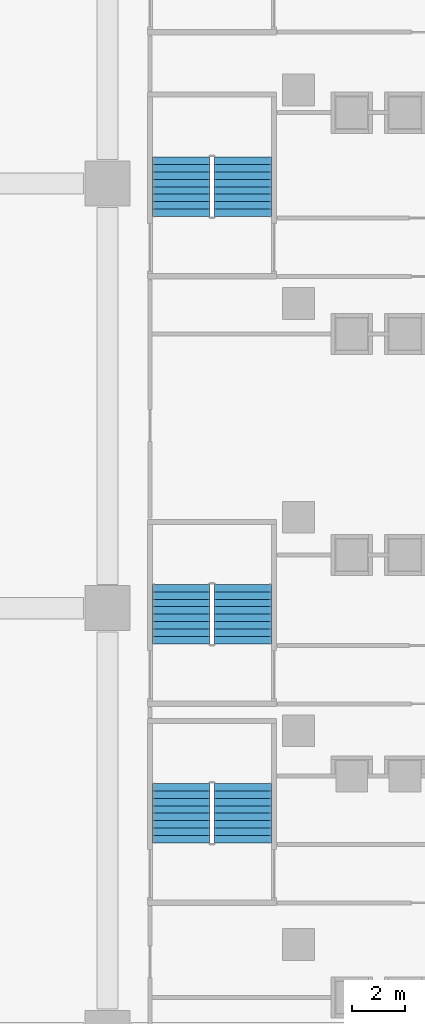
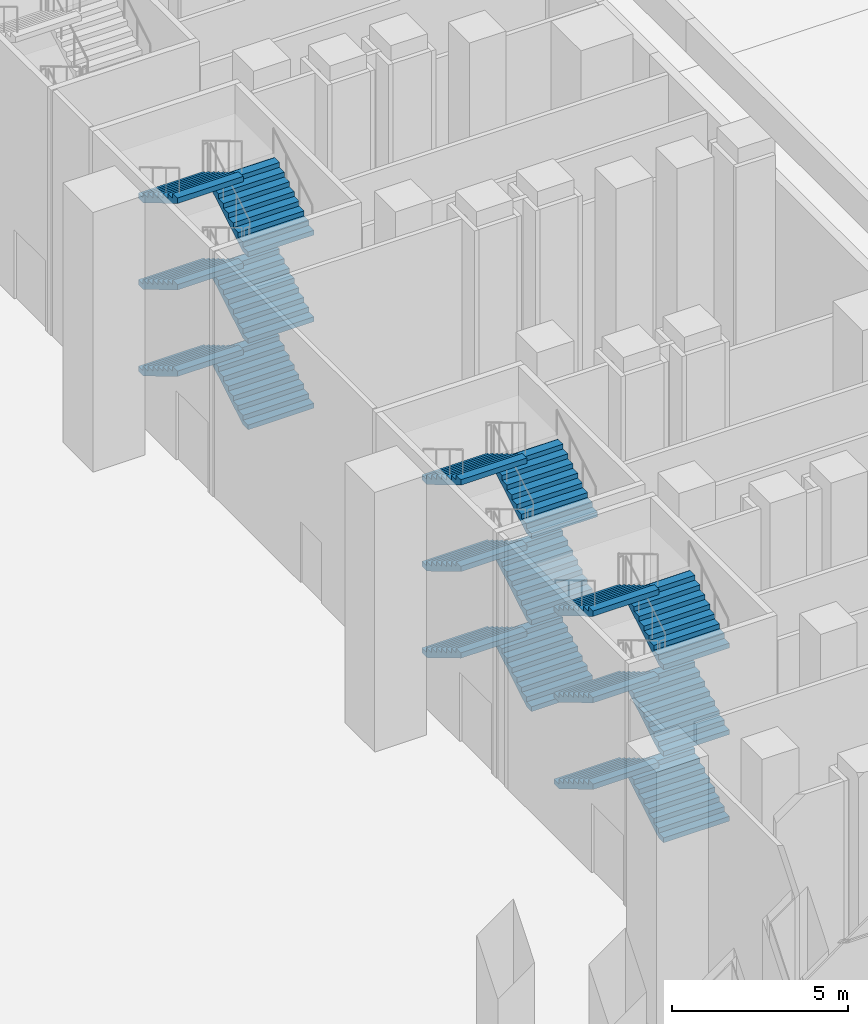
# One storey, part 31 of 51: 18 stair flights, 3 elements without a shape of their own.
"""IFC4 building model written with IfcOpenShell, lengths in metres."""

from ifc_helpers import new_model, si_unit, direction, frame, origin, place, context, subcontext, project, spatial, faceted_brep, source, transform, mapped, material, type_object, element, aggregate, save


model = new_model("IFC4")

# Units and contexts
model_context = context("Model", 3, precision=1e-05, world=origin(), true_north=direction((0.0, 1.0)))
body_context = subcontext(model_context, "Body", "Model", "MODEL_VIEW")
ifc_project = project(units=[si_unit("LENGTHUNIT", "METRE"), si_unit("AREAUNIT", "SQUARE_METRE"), si_unit("VOLUMEUNIT", "CUBIC_METRE"), si_unit("PLANEANGLEUNIT", "RADIAN"), si_unit("MASSUNIT", "GRAM", prefix="KILO")], contexts=[model_context])

# Site, building, storey
site_placement = place(None, origin())
site = spatial("IfcSite", under=ifc_project, at=site_placement, CompositionType="ELEMENT")
building_placement = place(site_placement, origin())
building = spatial("IfcBuilding", under=site, at=building_placement, Name="Calabash Gate Tower", CompositionType="ELEMENT")
storey_placement = place(building_placement, origin())
storey = spatial("IfcBuildingStorey", under=building, at=storey_placement, Name="L00", CompositionType="ELEMENT", Elevation=0.0)

# Stair, stair flights
ifc_material_1 = material(Name="Concrete C40/50", Category="concrete")
stair_type = type_object("IfcStairType", Name="Public stair 54 risers of 166.7 mm", PredefinedType="HALF_TURN_STAIR", material=ifc_material_1)
stair_1_placement = place(storey_placement, origin())
stair_1 = element("IfcStair", 1, at=stair_1_placement, inside=storey, type_object=stair_type, Name="L00 Public Stair PS6", PredefinedType="HALF_TURN_STAIR")
ifc_material_2 = material(Name="Concrete C40/50", Category="concrete")
stair_flight_type = type_object("IfcStairFlightType", Name="Exit stair flight SFL", PredefinedType="STRAIGHT", material=ifc_material_2)
shared_shape = source(origin(), body_context, "Body", "Brep", [
    faceted_brep([(-0.0009765625, -1.080078125, 0.0), (0.292236328125, -1.080078125, 0.0), (2.23291015625, -1.080078125, 1.15869140625), (-0.0009765625, 1.080078125, 0.0), (2.23291015625, 1.080078125, 1.15869140625), (0.292236328125, 1.080078125, 0.0), (2.23291015625, -1.080078125, 1.34521484375), (2.23193359375, -1.080078125, 1.34521484375), (2.23193359375, 1.080078125, 1.34521484375), (2.23291015625, 1.080078125, 1.34521484375), (2.23193359375, -1.080078125, 1.333251953125), (2.23193359375, 1.080078125, 1.333251953125), (1.952880859375, -1.080078125, 1.333251953125), (1.952880859375, 1.080078125, 1.333251953125), (1.952880859375, -1.080078125, 1.166748046875), (1.952880859375, 1.080078125, 1.166748046875), (1.674072265625, -1.080078125, 1.166748046875), (1.674072265625, 1.080078125, 1.166748046875), (1.674072265625, -1.080078125, 1.0), (1.674072265625, 1.080078125, 1.0), (1.39501953125, -1.080078125, 1.0), (1.39501953125, -1.080078125, 0.833251953125), (1.39501953125, 1.080078125, 0.833251953125), (1.39501953125, 1.080078125, 1.0), (1.115966796875, -1.080078125, 0.833251953125), (1.115966796875, -1.080078125, 0.666748046875), (1.115966796875, 1.080078125, 0.666748046875), (1.115966796875, 1.080078125, 0.833251953125), (0.8369140625, -1.080078125, 0.666748046875), (0.8369140625, -1.080078125, 0.5), (0.8369140625, 1.080078125, 0.5), (0.8369140625, 1.080078125, 0.666748046875), (0.55810546875, -1.080078125, 0.5), (0.55810546875, -1.080078125, 0.333251953125), (0.55810546875, 1.080078125, 0.333251953125), (0.55810546875, 1.080078125, 0.5), (0.279052734375, -1.080078125, 0.333251953125), (0.279052734375, -1.080078125, 0.166748046875), (0.279052734375, 1.080078125, 0.166748046875), (0.279052734375, 1.080078125, 0.333251953125), (-0.0009765625, -1.080078125, 0.166748046875), (-0.0009765625, 1.080078125, 0.166748046875), (0.292236328125, -0.431884765625, 0.0), (2.23291015625, -0.431884765625, 1.15869140625), (0.292236328125, -0.345703125, 0.0), (2.23291015625, -0.345703125, 1.15869140625), (0.292236328125, -0.25927734375, 0.0), (2.23291015625, -0.25927734375, 1.15869140625), (0.292236328125, -0.1728515625, 0.0), (2.23291015625, -0.1728515625, 1.15869140625), (0.292236328125, -0.08642578125, 0.0), (2.23291015625, -0.08642578125, 1.15869140625), (0.292236328125, 0.0, 0.0), (2.23291015625, 0.0, 1.15869140625), (0.292236328125, 0.08642578125, 0.0), (2.23291015625, 0.08642578125, 1.15869140625), (0.292236328125, 0.1728515625, 0.0), (2.23291015625, 0.1728515625, 1.15869140625), (0.292236328125, 0.25927734375, 0.0), (2.23291015625, 0.25927734375, 1.15869140625), (0.292236328125, 0.345703125, 0.0), (2.23291015625, 0.345703125, 1.15869140625), (0.292236328125, 0.431884765625, 0.0), (2.23291015625, 0.431884765625, 1.15869140625), (2.23291015625, -0.431884765625, 1.34521484375), (2.23291015625, -0.345703125, 1.34521484375), (2.23291015625, -0.25927734375, 1.34521484375), (2.23291015625, -0.1728515625, 1.34521484375), (2.23291015625, -0.08642578125, 1.34521484375), (2.23291015625, 0.0, 1.34521484375), (2.23291015625, 0.08642578125, 1.34521484375), (2.23291015625, 0.1728515625, 1.34521484375), (2.23291015625, 0.25927734375, 1.34521484375), (2.23291015625, 0.345703125, 1.34521484375), (2.23291015625, 0.431884765625, 1.34521484375), (2.23193359375, -0.431884765625, 1.34521484375), (2.23193359375, -0.345703125, 1.34521484375), (2.23193359375, -0.25927734375, 1.34521484375), (2.23193359375, -0.1728515625, 1.34521484375), (2.23193359375, -0.08642578125, 1.34521484375), (2.23193359375, 0.0, 1.34521484375), (2.23193359375, 0.08642578125, 1.34521484375), (2.23193359375, 0.1728515625, 1.34521484375), (2.23193359375, 0.25927734375, 1.34521484375), (2.23193359375, 0.345703125, 1.34521484375), (2.23193359375, 0.431884765625, 1.34521484375), (2.23193359375, -0.431884765625, 1.333251953125), (2.23193359375, -0.345703125, 1.333251953125), (2.23193359375, -0.25927734375, 1.333251953125), (2.23193359375, -0.1728515625, 1.333251953125), (2.23193359375, -0.08642578125, 1.333251953125), (2.23193359375, 0.0, 1.333251953125), (2.23193359375, 0.08642578125, 1.333251953125), (2.23193359375, 0.1728515625, 1.333251953125), (2.23193359375, 0.25927734375, 1.333251953125), (2.23193359375, 0.345703125, 1.333251953125), (2.23193359375, 0.431884765625, 1.333251953125), (1.952880859375, -0.431884765625, 1.333251953125), (1.952880859375, -0.345703125, 1.333251953125), (1.952880859375, -0.25927734375, 1.333251953125), (1.952880859375, -0.1728515625, 1.333251953125), (1.952880859375, -0.08642578125, 1.333251953125), (1.952880859375, 0.0, 1.333251953125), (1.952880859375, 0.08642578125, 1.333251953125), (1.952880859375, 0.1728515625, 1.333251953125), (1.952880859375, 0.25927734375, 1.333251953125), (1.952880859375, 0.345703125, 1.333251953125), (1.952880859375, 0.431884765625, 1.333251953125), (1.952880859375, -0.431884765625, 1.166748046875), (1.952880859375, -0.345703125, 1.166748046875), (1.952880859375, -0.25927734375, 1.166748046875), (1.952880859375, -0.1728515625, 1.166748046875), (1.952880859375, -0.08642578125, 1.166748046875), (1.952880859375, 0.0, 1.166748046875), (1.952880859375, 0.08642578125, 1.166748046875), (1.952880859375, 0.1728515625, 1.166748046875), (1.952880859375, 0.25927734375, 1.166748046875), (1.952880859375, 0.345703125, 1.166748046875), (1.952880859375, 0.431884765625, 1.166748046875), (1.674072265625, -0.431884765625, 1.166748046875), (1.674072265625, -0.345703125, 1.166748046875), (1.674072265625, -0.25927734375, 1.166748046875), (1.674072265625, -0.1728515625, 1.166748046875), (1.674072265625, -0.08642578125, 1.166748046875), (1.674072265625, 0.0, 1.166748046875), (1.674072265625, 0.08642578125, 1.166748046875), (1.674072265625, 0.1728515625, 1.166748046875), (1.674072265625, 0.25927734375, 1.166748046875), (1.674072265625, 0.345703125, 1.166748046875), (1.674072265625, 0.431884765625, 1.166748046875), (1.674072265625, -0.431884765625, 1.0), (1.674072265625, -0.345703125, 1.0), (1.674072265625, -0.25927734375, 1.0), (1.674072265625, -0.1728515625, 1.0), (1.674072265625, -0.08642578125, 1.0), (1.674072265625, 0.0, 1.0), (1.674072265625, 0.08642578125, 1.0), (1.674072265625, 0.1728515625, 1.0), (1.674072265625, 0.25927734375, 1.0), (1.674072265625, 0.345703125, 1.0), (1.674072265625, 0.431884765625, 1.0), (1.39501953125, -0.431884765625, 1.0), (1.39501953125, -0.345703125, 1.0), (1.39501953125, -0.25927734375, 1.0), (1.39501953125, -0.1728515625, 1.0), (1.39501953125, -0.08642578125, 1.0), (1.39501953125, 0.0, 1.0), (1.39501953125, 0.08642578125, 1.0), (1.39501953125, 0.1728515625, 1.0), (1.39501953125, 0.25927734375, 1.0), (1.39501953125, 0.345703125, 1.0), (1.39501953125, 0.431884765625, 1.0), (1.39501953125, -0.431884765625, 0.833251953125), (1.39501953125, -0.345703125, 0.833251953125), (1.39501953125, -0.25927734375, 0.833251953125), (1.39501953125, -0.1728515625, 0.833251953125), (1.39501953125, -0.08642578125, 0.833251953125), (1.39501953125, 0.0, 0.833251953125), (1.39501953125, 0.08642578125, 0.833251953125), (1.39501953125, 0.1728515625, 0.833251953125), (1.39501953125, 0.25927734375, 0.833251953125), (1.39501953125, 0.345703125, 0.833251953125), (1.39501953125, 0.431884765625, 0.833251953125), (1.115966796875, -0.431884765625, 0.833251953125), (1.115966796875, -0.345703125, 0.833251953125), (1.115966796875, -0.25927734375, 0.833251953125), (1.115966796875, -0.1728515625, 0.833251953125), (1.115966796875, -0.08642578125, 0.833251953125), (1.115966796875, 0.0, 0.833251953125), (1.115966796875, 0.08642578125, 0.833251953125), (1.115966796875, 0.1728515625, 0.833251953125), (1.115966796875, 0.25927734375, 0.833251953125), (1.115966796875, 0.345703125, 0.833251953125), (1.115966796875, 0.431884765625, 0.833251953125), (1.115966796875, -0.431884765625, 0.666748046875), (1.115966796875, -0.345703125, 0.666748046875), (1.115966796875, -0.25927734375, 0.666748046875), (1.115966796875, -0.1728515625, 0.666748046875), (1.115966796875, -0.08642578125, 0.666748046875), (1.115966796875, 0.0, 0.666748046875), (1.115966796875, 0.08642578125, 0.666748046875), (1.115966796875, 0.1728515625, 0.666748046875), (1.115966796875, 0.25927734375, 0.666748046875), (1.115966796875, 0.345703125, 0.666748046875), (1.115966796875, 0.431884765625, 0.666748046875), (0.8369140625, -0.431884765625, 0.666748046875), (0.8369140625, -0.345703125, 0.666748046875), (0.8369140625, -0.25927734375, 0.666748046875), (0.8369140625, -0.1728515625, 0.666748046875), (0.8369140625, -0.08642578125, 0.666748046875), (0.8369140625, 0.0, 0.666748046875), (0.8369140625, 0.08642578125, 0.666748046875), (0.8369140625, 0.1728515625, 0.666748046875), (0.8369140625, 0.25927734375, 0.666748046875), (0.8369140625, 0.345703125, 0.666748046875), (0.8369140625, 0.431884765625, 0.666748046875), (0.8369140625, -0.431884765625, 0.5), (0.8369140625, -0.345703125, 0.5), (0.8369140625, -0.25927734375, 0.5), (0.8369140625, -0.1728515625, 0.5), (0.8369140625, -0.08642578125, 0.5), (0.8369140625, 0.0, 0.5), (0.8369140625, 0.08642578125, 0.5), (0.8369140625, 0.1728515625, 0.5), (0.8369140625, 0.25927734375, 0.5), (0.8369140625, 0.345703125, 0.5), (0.8369140625, 0.431884765625, 0.5), (0.55810546875, -0.431884765625, 0.5), (0.55810546875, -0.345703125, 0.5), (0.55810546875, -0.25927734375, 0.5), (0.55810546875, -0.1728515625, 0.5), (0.55810546875, -0.08642578125, 0.5), (0.55810546875, 0.0, 0.5), (0.55810546875, 0.08642578125, 0.5), (0.55810546875, 0.1728515625, 0.5), (0.55810546875, 0.25927734375, 0.5), (0.55810546875, 0.345703125, 0.5), (0.55810546875, 0.431884765625, 0.5), (0.55810546875, -0.431884765625, 0.333251953125), (0.55810546875, -0.345703125, 0.333251953125), (0.55810546875, -0.25927734375, 0.333251953125), (0.55810546875, -0.1728515625, 0.333251953125), (0.55810546875, -0.08642578125, 0.333251953125), (0.55810546875, 0.0, 0.333251953125), (0.55810546875, 0.08642578125, 0.333251953125), (0.55810546875, 0.1728515625, 0.333251953125), (0.55810546875, 0.25927734375, 0.333251953125), (0.55810546875, 0.345703125, 0.333251953125), (0.55810546875, 0.431884765625, 0.333251953125), (0.279052734375, -0.431884765625, 0.333251953125), (0.279052734375, -0.345703125, 0.333251953125), (0.279052734375, -0.25927734375, 0.333251953125), (0.279052734375, -0.1728515625, 0.333251953125), (0.279052734375, -0.08642578125, 0.333251953125), (0.279052734375, 0.0, 0.333251953125), (0.279052734375, 0.08642578125, 0.333251953125), (0.279052734375, 0.1728515625, 0.333251953125), (0.279052734375, 0.25927734375, 0.333251953125), (0.279052734375, 0.345703125, 0.333251953125), (0.279052734375, 0.431884765625, 0.333251953125), (0.279052734375, -0.431884765625, 0.166748046875), (0.279052734375, -0.345703125, 0.166748046875), (0.279052734375, -0.25927734375, 0.166748046875), (0.279052734375, -0.1728515625, 0.166748046875), (0.279052734375, -0.08642578125, 0.166748046875), (0.279052734375, 0.0, 0.166748046875), (0.279052734375, 0.08642578125, 0.166748046875), (0.279052734375, 0.1728515625, 0.166748046875), (0.279052734375, 0.25927734375, 0.166748046875), (0.279052734375, 0.345703125, 0.166748046875), (0.279052734375, 0.431884765625, 0.166748046875), (-0.0009765625, -0.431884765625, 0.166748046875), (-0.0009765625, -0.345703125, 0.166748046875), (-0.0009765625, -0.25927734375, 0.166748046875), (-0.0009765625, -0.1728515625, 0.166748046875), (-0.0009765625, -0.08642578125, 0.166748046875), (-0.0009765625, 0.0, 0.166748046875), (-0.0009765625, 0.08642578125, 0.166748046875), (-0.0009765625, 0.1728515625, 0.166748046875), (-0.0009765625, 0.25927734375, 0.166748046875), (-0.0009765625, 0.345703125, 0.166748046875), (-0.0009765625, 0.431884765625, 0.166748046875), (-0.0009765625, -0.431884765625, 0.0), (-0.0009765625, -0.345703125, 0.0), (-0.0009765625, -0.25927734375, 0.0), (-0.0009765625, -0.1728515625, 0.0), (-0.0009765625, -0.08642578125, 0.0), (-0.0009765625, 0.0, 0.0), (-0.0009765625, 0.08642578125, 0.0), (-0.0009765625, 0.1728515625, 0.0), (-0.0009765625, 0.25927734375, 0.0), (-0.0009765625, 0.345703125, 0.0), (-0.0009765625, 0.431884765625, 0.0)], [[[0, 1, 2]], [[3, 4, 5]], [[2, 6, 7]], [[4, 8, 9]], [[2, 7, 10]], [[4, 11, 8]], [[2, 10, 12]], [[4, 13, 11]], [[2, 12, 14]], [[4, 15, 13]], [[2, 14, 16]], [[4, 17, 15]], [[2, 16, 18]], [[4, 19, 17]], [[18, 20, 21]], [[19, 22, 23]], [[2, 18, 21]], [[4, 22, 19]], [[21, 24, 25]], [[22, 26, 27]], [[2, 21, 25]], [[4, 26, 22]], [[25, 28, 29]], [[26, 30, 31]], [[2, 25, 29]], [[4, 30, 26]], [[29, 32, 33]], [[30, 34, 35]], [[2, 29, 33]], [[4, 34, 30]], [[33, 36, 37]], [[34, 38, 39]], [[2, 33, 37]], [[4, 38, 34]], [[0, 2, 37]], [[3, 38, 4]], [[37, 40, 0]], [[38, 3, 41]], [[1, 42, 2]], [[42, 43, 2]], [[42, 44, 43]], [[44, 45, 43]], [[44, 46, 45]], [[46, 47, 45]], [[46, 48, 47]], [[48, 49, 47]], [[48, 50, 49]], [[50, 51, 49]], [[50, 52, 51]], [[52, 53, 51]], [[52, 54, 55]], [[52, 55, 53]], [[54, 56, 57]], [[54, 57, 55]], [[56, 58, 59]], [[56, 59, 57]], [[58, 60, 61]], [[58, 61, 59]], [[60, 62, 63]], [[60, 63, 61]], [[62, 5, 4]], [[62, 4, 63]], [[2, 43, 6]], [[43, 64, 6]], [[43, 45, 64]], [[45, 65, 64]], [[45, 47, 65]], [[47, 66, 65]], [[47, 49, 66]], [[49, 67, 66]], [[49, 51, 67]], [[51, 68, 67]], [[51, 53, 68]], [[53, 69, 68]], [[53, 55, 70]], [[53, 70, 69]], [[55, 57, 71]], [[55, 71, 70]], [[57, 59, 72]], [[57, 72, 71]], [[59, 61, 73]], [[59, 73, 72]], [[61, 63, 74]], [[61, 74, 73]], [[63, 4, 9]], [[63, 9, 74]], [[6, 64, 7]], [[64, 75, 7]], [[64, 65, 75]], [[65, 76, 75]], [[65, 66, 76]], [[66, 77, 76]], [[66, 67, 77]], [[67, 78, 77]], [[67, 68, 78]], [[68, 79, 78]], [[68, 69, 79]], [[69, 80, 79]], [[69, 70, 81]], [[69, 81, 80]], [[70, 71, 82]], [[70, 82, 81]], [[71, 72, 83]], [[71, 83, 82]], [[72, 73, 84]], [[72, 84, 83]], [[73, 74, 85]], [[73, 85, 84]], [[74, 9, 8]], [[74, 8, 85]], [[7, 75, 10]], [[75, 86, 10]], [[75, 76, 86]], [[76, 87, 86]], [[76, 77, 87]], [[77, 88, 87]], [[77, 78, 88]], [[78, 89, 88]], [[78, 79, 89]], [[79, 90, 89]], [[79, 80, 90]], [[80, 91, 90]], [[80, 81, 92]], [[80, 92, 91]], [[81, 82, 93]], [[81, 93, 92]], [[82, 83, 94]], [[82, 94, 93]], [[83, 84, 95]], [[83, 95, 94]], [[84, 85, 96]], [[84, 96, 95]], [[85, 8, 11]], [[85, 11, 96]], [[10, 86, 12]], [[86, 97, 12]], [[86, 87, 97]], [[87, 98, 97]], [[87, 88, 98]], [[88, 99, 98]], [[88, 89, 99]], [[89, 100, 99]], [[89, 90, 100]], [[90, 101, 100]], [[90, 91, 101]], [[91, 102, 101]], [[91, 92, 103]], [[91, 103, 102]], [[92, 93, 104]], [[92, 104, 103]], [[93, 94, 105]], [[93, 105, 104]], [[94, 95, 106]], [[94, 106, 105]], [[95, 96, 107]], [[95, 107, 106]], [[96, 11, 13]], [[96, 13, 107]], [[12, 97, 14]], [[97, 108, 14]], [[97, 98, 108]], [[98, 109, 108]], [[98, 99, 109]], [[99, 110, 109]], [[99, 100, 110]], [[100, 111, 110]], [[100, 101, 111]], [[101, 112, 111]], [[101, 102, 112]], [[102, 113, 112]], [[102, 103, 114]], [[102, 114, 113]], [[103, 104, 115]], [[103, 115, 114]], [[104, 105, 116]], [[104, 116, 115]], [[105, 106, 117]], [[105, 117, 116]], [[106, 107, 118]], [[106, 118, 117]], [[107, 13, 15]], [[107, 15, 118]], [[14, 108, 16]], [[108, 119, 16]], [[108, 109, 119]], [[109, 120, 119]], [[109, 110, 120]], [[110, 121, 120]], [[110, 111, 121]], [[111, 122, 121]], [[111, 112, 122]], [[112, 123, 122]], [[112, 113, 123]], [[113, 124, 123]], [[113, 114, 125]], [[113, 125, 124]], [[114, 115, 126]], [[114, 126, 125]], [[115, 116, 127]], [[115, 127, 126]], [[116, 117, 128]], [[116, 128, 127]], [[117, 118, 129]], [[117, 129, 128]], [[118, 15, 17]], [[118, 17, 129]], [[16, 119, 18]], [[119, 130, 18]], [[119, 120, 130]], [[120, 131, 130]], [[120, 121, 131]], [[121, 132, 131]], [[121, 122, 132]], [[122, 133, 132]], [[122, 123, 133]], [[123, 134, 133]], [[123, 124, 134]], [[124, 135, 134]], [[124, 125, 136]], [[124, 136, 135]], [[125, 126, 137]], [[125, 137, 136]], [[126, 127, 138]], [[126, 138, 137]], [[127, 128, 139]], [[127, 139, 138]], [[128, 129, 140]], [[128, 140, 139]], [[129, 17, 19]], [[129, 19, 140]], [[18, 130, 20]], [[130, 141, 20]], [[130, 131, 141]], [[131, 142, 141]], [[131, 132, 142]], [[132, 143, 142]], [[132, 133, 143]], [[133, 144, 143]], [[133, 134, 144]], [[134, 145, 144]], [[134, 135, 145]], [[135, 146, 145]], [[135, 136, 147]], [[135, 147, 146]], [[136, 137, 148]], [[136, 148, 147]], [[137, 138, 149]], [[137, 149, 148]], [[138, 139, 150]], [[138, 150, 149]], [[139, 140, 151]], [[139, 151, 150]], [[140, 19, 23]], [[140, 23, 151]], [[20, 141, 21]], [[141, 152, 21]], [[141, 142, 152]], [[142, 153, 152]], [[142, 143, 153]], [[143, 154, 153]], [[143, 144, 154]], [[144, 155, 154]], [[144, 145, 155]], [[145, 156, 155]], [[145, 146, 156]], [[146, 157, 156]], [[146, 147, 158]], [[146, 158, 157]], [[147, 148, 159]], [[147, 159, 158]], [[148, 149, 160]], [[148, 160, 159]], [[149, 150, 161]], [[149, 161, 160]], [[150, 151, 162]], [[150, 162, 161]], [[151, 23, 22]], [[151, 22, 162]], [[21, 152, 24]], [[152, 163, 24]], [[152, 153, 163]], [[153, 164, 163]], [[153, 154, 164]], [[154, 165, 164]], [[154, 155, 165]], [[155, 166, 165]], [[155, 156, 166]], [[156, 167, 166]], [[156, 157, 167]], [[157, 168, 167]], [[157, 158, 169]], [[157, 169, 168]], [[158, 159, 170]], [[158, 170, 169]], [[159, 160, 171]], [[159, 171, 170]], [[160, 161, 172]], [[160, 172, 171]], [[161, 162, 173]], [[161, 173, 172]], [[162, 22, 27]], [[162, 27, 173]], [[24, 163, 25]], [[163, 174, 25]], [[163, 164, 174]], [[164, 175, 174]], [[164, 165, 175]], [[165, 176, 175]], [[165, 166, 176]], [[166, 177, 176]], [[166, 167, 177]], [[167, 178, 177]], [[167, 168, 178]], [[168, 179, 178]], [[168, 169, 180]], [[168, 180, 179]], [[169, 170, 181]], [[169, 181, 180]], [[170, 171, 182]], [[170, 182, 181]], [[171, 172, 183]], [[171, 183, 182]], [[172, 173, 184]], [[172, 184, 183]], [[173, 27, 26]], [[173, 26, 184]], [[25, 174, 28]], [[174, 185, 28]], [[174, 175, 185]], [[175, 186, 185]], [[175, 176, 186]], [[176, 187, 186]], [[176, 177, 187]], [[177, 188, 187]], [[177, 178, 188]], [[178, 189, 188]], [[178, 179, 189]], [[179, 190, 189]], [[179, 180, 191]], [[179, 191, 190]], [[180, 181, 192]], [[180, 192, 191]], [[181, 182, 193]], [[181, 193, 192]], [[182, 183, 194]], [[182, 194, 193]], [[183, 184, 195]], [[183, 195, 194]], [[184, 26, 31]], [[184, 31, 195]], [[28, 185, 29]], [[185, 196, 29]], [[185, 186, 196]], [[186, 197, 196]], [[186, 187, 197]], [[187, 198, 197]], [[187, 188, 198]], [[188, 199, 198]], [[188, 189, 199]], [[189, 200, 199]], [[189, 190, 200]], [[190, 201, 200]], [[190, 191, 202]], [[190, 202, 201]], [[191, 192, 203]], [[191, 203, 202]], [[192, 193, 204]], [[192, 204, 203]], [[193, 194, 205]], [[193, 205, 204]], [[194, 195, 206]], [[194, 206, 205]], [[195, 31, 30]], [[195, 30, 206]], [[29, 196, 32]], [[196, 207, 32]], [[196, 197, 207]], [[197, 208, 207]], [[197, 198, 208]], [[198, 209, 208]], [[198, 199, 209]], [[199, 210, 209]], [[199, 200, 210]], [[200, 211, 210]], [[200, 201, 211]], [[201, 212, 211]], [[201, 202, 213]], [[201, 213, 212]], [[202, 203, 214]], [[202, 214, 213]], [[203, 204, 215]], [[203, 215, 214]], [[204, 205, 216]], [[204, 216, 215]], [[205, 206, 217]], [[205, 217, 216]], [[206, 30, 35]], [[206, 35, 217]], [[32, 207, 33]], [[207, 218, 33]], [[207, 208, 218]], [[208, 219, 218]], [[208, 209, 219]], [[209, 220, 219]], [[209, 210, 220]], [[210, 221, 220]], [[210, 211, 221]], [[211, 222, 221]], [[211, 212, 222]], [[212, 223, 222]], [[212, 213, 224]], [[212, 224, 223]], [[213, 214, 225]], [[213, 225, 224]], [[214, 215, 226]], [[214, 226, 225]], [[215, 216, 227]], [[215, 227, 226]], [[216, 217, 228]], [[216, 228, 227]], [[217, 35, 34]], [[217, 34, 228]], [[33, 218, 36]], [[218, 229, 36]], [[218, 219, 229]], [[219, 230, 229]], [[219, 220, 230]], [[220, 231, 230]], [[220, 221, 231]], [[221, 232, 231]], [[221, 222, 232]], [[222, 233, 232]], [[222, 223, 233]], [[223, 234, 233]], [[223, 224, 235]], [[223, 235, 234]], [[224, 225, 236]], [[224, 236, 235]], [[225, 226, 237]], [[225, 237, 236]], [[226, 227, 238]], [[226, 238, 237]], [[227, 228, 239]], [[227, 239, 238]], [[228, 34, 39]], [[228, 39, 239]], [[36, 229, 37]], [[229, 240, 37]], [[229, 230, 240]], [[230, 241, 240]], [[230, 231, 241]], [[231, 242, 241]], [[231, 232, 242]], [[232, 243, 242]], [[232, 233, 243]], [[233, 244, 243]], [[233, 234, 244]], [[234, 245, 244]], [[234, 235, 246]], [[234, 246, 245]], [[235, 236, 247]], [[235, 247, 246]], [[236, 237, 248]], [[236, 248, 247]], [[237, 238, 249]], [[237, 249, 248]], [[238, 239, 250]], [[238, 250, 249]], [[239, 39, 38]], [[239, 38, 250]], [[37, 240, 40]], [[240, 251, 40]], [[240, 241, 251]], [[241, 252, 251]], [[241, 242, 252]], [[242, 253, 252]], [[242, 243, 253]], [[243, 254, 253]], [[243, 244, 254]], [[244, 255, 254]], [[244, 245, 255]], [[245, 256, 255]], [[245, 246, 257]], [[245, 257, 256]], [[246, 247, 258]], [[246, 258, 257]], [[247, 248, 259]], [[247, 259, 258]], [[248, 249, 260]], [[248, 260, 259]], [[249, 250, 261]], [[249, 261, 260]], [[250, 38, 41]], [[250, 41, 261]], [[40, 251, 0]], [[251, 262, 0]], [[251, 252, 262]], [[252, 263, 262]], [[252, 253, 263]], [[253, 264, 263]], [[253, 254, 264]], [[254, 265, 264]], [[254, 255, 265]], [[255, 266, 265]], [[255, 256, 266]], [[256, 267, 266]], [[256, 257, 268]], [[256, 268, 267]], [[257, 258, 269]], [[257, 269, 268]], [[258, 259, 270]], [[258, 270, 269]], [[259, 260, 271]], [[259, 271, 270]], [[260, 261, 272]], [[260, 272, 271]], [[261, 41, 3]], [[261, 3, 272]], [[0, 262, 1]], [[262, 42, 1]], [[262, 263, 42]], [[263, 44, 42]], [[263, 264, 44]], [[264, 46, 44]], [[264, 265, 46]], [[265, 48, 46]], [[265, 266, 48]], [[266, 50, 48]], [[266, 267, 50]], [[267, 52, 50]], [[267, 268, 54]], [[267, 54, 52]], [[268, 269, 56]], [[268, 56, 54]], [[269, 270, 58]], [[269, 58, 56]], [[270, 271, 60]], [[270, 60, 58]], [[271, 272, 62]], [[271, 62, 60]], [[272, 3, 5]], [[272, 5, 62]]]),
])
stair_flight_1_placement = place(storey_placement, frame((37.090087890625, -32.840087890625, 0.0), z_axis=(0.0, 0.0, 1.0), x_axis=(0.0, 1.0, 0.0)))
stair_flight_1 = element("IfcStairFlight", 2, at=stair_flight_1_placement, type_object=stair_flight_type, Name="PS6 flight 1", NumberOfRisers=9, NumberOfTreads=8, PredefinedType="STRAIGHT", RiserHeight=0.166666667, TreadLength=0.279, context=body_context, shape_type="MappedRepresentation", body=[
    mapped(shared_shape, transform((0.0, 0.0, 0.0), scale=1.0)),
])
stair_flight_2_placement = place(storey_placement, frame((34.780029296875, -30.60791015625, 1.5), z_axis=(0.0, 0.0, 1.0), x_axis=(0.0, -1.0, 0.0)))
stair_flight_2 = element("IfcStairFlight", 3, at=stair_flight_2_placement, type_object=stair_flight_type, Name="PS6 flight 2", NumberOfRisers=9, NumberOfTreads=8, PredefinedType="STRAIGHT", RiserHeight=0.166666667, TreadLength=0.279, context=body_context, shape_type="MappedRepresentation", body=[
    mapped(shared_shape, transform((0.0, 0.0, 0.0), scale=1.0)),
])
stair_flight_3_placement = place(storey_placement, frame((37.090087890625, -32.840087890625, 3.0), z_axis=(0.0, 0.0, 1.0), x_axis=(0.0, 1.0, 0.0)))
stair_flight_3 = element("IfcStairFlight", 4, at=stair_flight_3_placement, type_object=stair_flight_type, Name="PS6 flight 3", NumberOfRisers=9, NumberOfTreads=8, PredefinedType="STRAIGHT", RiserHeight=0.166666667, TreadLength=0.279, context=body_context, shape_type="MappedRepresentation", body=[
    mapped(shared_shape, transform((0.0, 0.0, 0.0), scale=1.0)),
])
stair_flight_4_placement = place(storey_placement, frame((34.780029296875, -30.60791015625, 4.5), z_axis=(0.0, 0.0, 1.0), x_axis=(0.0, -1.0, 0.0)))
stair_flight_4 = element("IfcStairFlight", 5, at=stair_flight_4_placement, type_object=stair_flight_type, Name="PS6 flight 4", NumberOfRisers=9, NumberOfTreads=8, PredefinedType="STRAIGHT", RiserHeight=0.166666667, TreadLength=0.279, context=body_context, shape_type="MappedRepresentation", body=[
    mapped(shared_shape, transform((0.0, 0.0, 0.0), scale=1.0)),
])
stair_flight_5_placement = place(storey_placement, frame((37.090087890625, -32.840087890625, 6.0), z_axis=(0.0, 0.0, 1.0), x_axis=(0.0, 1.0, 0.0)))
stair_flight_5 = element("IfcStairFlight", 6, at=stair_flight_5_placement, type_object=stair_flight_type, Name="PS6 flight 5", NumberOfRisers=9, NumberOfTreads=8, PredefinedType="STRAIGHT", RiserHeight=0.166666667, TreadLength=0.279, context=body_context, shape_type="MappedRepresentation", body=[
    mapped(shared_shape, transform((0.0, 0.0, 0.0), scale=1.0)),
])
stair_flight_6_placement = place(storey_placement, frame((34.780029296875, -30.60791015625, 7.5), z_axis=(0.0, 0.0, 1.0), x_axis=(0.0, -1.0, 0.0)))
stair_flight_6 = element("IfcStairFlight", 7, at=stair_flight_6_placement, type_object=stair_flight_type, Name="PS6 flight 6", NumberOfRisers=9, NumberOfTreads=8, PredefinedType="STRAIGHT", RiserHeight=0.166666667, TreadLength=0.279, context=body_context, shape_type="MappedRepresentation", body=[
    mapped(shared_shape, transform((0.0, 0.0, 0.0), scale=1.0)),
])
aggregate(stair_1, [stair_flight_1, stair_flight_2, stair_flight_3, stair_flight_4, stair_flight_5, stair_flight_6])

stair_2_placement = place(storey_placement, origin())
stair_2 = element("IfcStair", 8, at=stair_2_placement, inside=storey, type_object=stair_type, Name="L00 Public Stair PS7", PredefinedType="HALF_TURN_STAIR")
stair_flight_7_placement = place(storey_placement, frame((37.090087890625, -25.340087890625, 0.0), z_axis=(0.0, 0.0, 1.0), x_axis=(0.0, 1.0, 0.0)))
stair_flight_7 = element("IfcStairFlight", 9, at=stair_flight_7_placement, type_object=stair_flight_type, Name="PS7 flight 1", NumberOfRisers=9, NumberOfTreads=8, PredefinedType="STRAIGHT", RiserHeight=0.166666667, TreadLength=0.279, context=body_context, shape_type="MappedRepresentation", body=[
    mapped(shared_shape, transform((0.0, 0.0, 0.0), scale=1.0)),
])
stair_flight_8_placement = place(storey_placement, frame((34.780029296875, -23.10791015625, 1.5), z_axis=(0.0, 0.0, 1.0), x_axis=(0.0, -1.0, 0.0)))
stair_flight_8 = element("IfcStairFlight", 10, at=stair_flight_8_placement, type_object=stair_flight_type, Name="PS7 flight 2", NumberOfRisers=9, NumberOfTreads=8, PredefinedType="STRAIGHT", RiserHeight=0.166666667, TreadLength=0.279, context=body_context, shape_type="MappedRepresentation", body=[
    mapped(shared_shape, transform((0.0, 0.0, 0.0), scale=1.0)),
])
stair_flight_9_placement = place(storey_placement, frame((37.090087890625, -25.340087890625, 3.0), z_axis=(0.0, 0.0, 1.0), x_axis=(0.0, 1.0, 0.0)))
stair_flight_9 = element("IfcStairFlight", 11, at=stair_flight_9_placement, type_object=stair_flight_type, Name="PS7 flight 3", NumberOfRisers=9, NumberOfTreads=8, PredefinedType="STRAIGHT", RiserHeight=0.166666667, TreadLength=0.279, context=body_context, shape_type="MappedRepresentation", body=[
    mapped(shared_shape, transform((0.0, 0.0, 0.0), scale=1.0)),
])
stair_flight_10_placement = place(storey_placement, frame((34.780029296875, -23.10791015625, 4.5), z_axis=(0.0, 0.0, 1.0), x_axis=(0.0, -1.0, 0.0)))
stair_flight_10 = element("IfcStairFlight", 12, at=stair_flight_10_placement, type_object=stair_flight_type, Name="PS7 flight 4", NumberOfRisers=9, NumberOfTreads=8, PredefinedType="STRAIGHT", RiserHeight=0.166666667, TreadLength=0.279, context=body_context, shape_type="MappedRepresentation", body=[
    mapped(shared_shape, transform((0.0, 0.0, 0.0), scale=1.0)),
])
stair_flight_11_placement = place(storey_placement, frame((37.090087890625, -25.340087890625, 6.0), z_axis=(0.0, 0.0, 1.0), x_axis=(0.0, 1.0, 0.0)))
stair_flight_11 = element("IfcStairFlight", 13, at=stair_flight_11_placement, type_object=stair_flight_type, Name="PS7 flight 5", NumberOfRisers=9, NumberOfTreads=8, PredefinedType="STRAIGHT", RiserHeight=0.166666667, TreadLength=0.279, context=body_context, shape_type="MappedRepresentation", body=[
    mapped(shared_shape, transform((0.0, 0.0, 0.0), scale=1.0)),
])
stair_flight_12_placement = place(storey_placement, frame((34.780029296875, -23.10791015625, 7.5), z_axis=(0.0, 0.0, 1.0), x_axis=(0.0, -1.0, 0.0)))
stair_flight_12 = element("IfcStairFlight", 14, at=stair_flight_12_placement, type_object=stair_flight_type, Name="PS7 flight 6", NumberOfRisers=9, NumberOfTreads=8, PredefinedType="STRAIGHT", RiserHeight=0.166666667, TreadLength=0.279, context=body_context, shape_type="MappedRepresentation", body=[
    mapped(shared_shape, transform((0.0, 0.0, 0.0), scale=1.0)),
])
aggregate(stair_2, [stair_flight_7, stair_flight_8, stair_flight_9, stair_flight_10, stair_flight_11, stair_flight_12])

stair_3_placement = place(storey_placement, origin())
stair_3 = element("IfcStair", 15, at=stair_3_placement, inside=storey, type_object=stair_type, Name="L00 Public Stair PS8", PredefinedType="HALF_TURN_STAIR")
stair_flight_13_placement = place(storey_placement, frame((37.090087890625, -9.239990234375, 0.0), z_axis=(0.0, 0.0, 1.0), x_axis=(0.0, 1.0, 0.0)))
stair_flight_13 = element("IfcStairFlight", 16, at=stair_flight_13_placement, type_object=stair_flight_type, Name="PS8 flight 1", NumberOfRisers=9, NumberOfTreads=8, PredefinedType="STRAIGHT", RiserHeight=0.166666667, TreadLength=0.279, context=body_context, shape_type="MappedRepresentation", body=[
    mapped(shared_shape, transform((0.0, 0.0, 0.0), scale=1.0)),
])
stair_flight_14_placement = place(storey_placement, frame((34.780029296875, -7.008056640625, 1.5), z_axis=(0.0, 0.0, 1.0), x_axis=(0.0, -1.0, 0.0)))
stair_flight_14 = element("IfcStairFlight", 17, at=stair_flight_14_placement, type_object=stair_flight_type, Name="PS8 flight 2", NumberOfRisers=9, NumberOfTreads=8, PredefinedType="STRAIGHT", RiserHeight=0.166666667, TreadLength=0.279, context=body_context, shape_type="MappedRepresentation", body=[
    mapped(shared_shape, transform((0.0, 0.0, 0.0), scale=1.0)),
])
stair_flight_15_placement = place(storey_placement, frame((37.090087890625, -9.239990234375, 3.0), z_axis=(0.0, 0.0, 1.0), x_axis=(0.0, 1.0, 0.0)))
stair_flight_15 = element("IfcStairFlight", 18, at=stair_flight_15_placement, type_object=stair_flight_type, Name="PS8 flight 3", NumberOfRisers=9, NumberOfTreads=8, PredefinedType="STRAIGHT", RiserHeight=0.166666667, TreadLength=0.279, context=body_context, shape_type="MappedRepresentation", body=[
    mapped(shared_shape, transform((0.0, 0.0, 0.0), scale=1.0)),
])
stair_flight_16_placement = place(storey_placement, frame((34.780029296875, -7.008056640625, 4.5), z_axis=(0.0, 0.0, 1.0), x_axis=(0.0, -1.0, 0.0)))
stair_flight_16 = element("IfcStairFlight", 19, at=stair_flight_16_placement, type_object=stair_flight_type, Name="PS8 flight 4", NumberOfRisers=9, NumberOfTreads=8, PredefinedType="STRAIGHT", RiserHeight=0.166666667, TreadLength=0.279, context=body_context, shape_type="MappedRepresentation", body=[
    mapped(shared_shape, transform((0.0, 0.0, 0.0), scale=1.0)),
])
stair_flight_17_placement = place(storey_placement, frame((37.090087890625, -9.239990234375, 6.0), z_axis=(0.0, 0.0, 1.0), x_axis=(0.0, 1.0, 0.0)))
stair_flight_17 = element("IfcStairFlight", 20, at=stair_flight_17_placement, type_object=stair_flight_type, Name="PS8 flight 5", NumberOfRisers=9, NumberOfTreads=8, PredefinedType="STRAIGHT", RiserHeight=0.166666667, TreadLength=0.279, context=body_context, shape_type="MappedRepresentation", body=[
    mapped(shared_shape, transform((0.0, 0.0, 0.0), scale=1.0)),
])
stair_flight_18_placement = place(storey_placement, frame((34.780029296875, -7.008056640625, 7.5), z_axis=(0.0, 0.0, 1.0), x_axis=(0.0, -1.0, 0.0)))
stair_flight_18 = element("IfcStairFlight", 21, at=stair_flight_18_placement, type_object=stair_flight_type, Name="PS8 flight 6", NumberOfRisers=9, NumberOfTreads=8, PredefinedType="STRAIGHT", RiserHeight=0.166666667, TreadLength=0.279, context=body_context, shape_type="MappedRepresentation", body=[
    mapped(shared_shape, transform((0.0, 0.0, 0.0), scale=1.0)),
])
aggregate(stair_3, [stair_flight_13, stair_flight_14, stair_flight_15, stair_flight_16, stair_flight_17, stair_flight_18])

save(model, "model.ifc")
